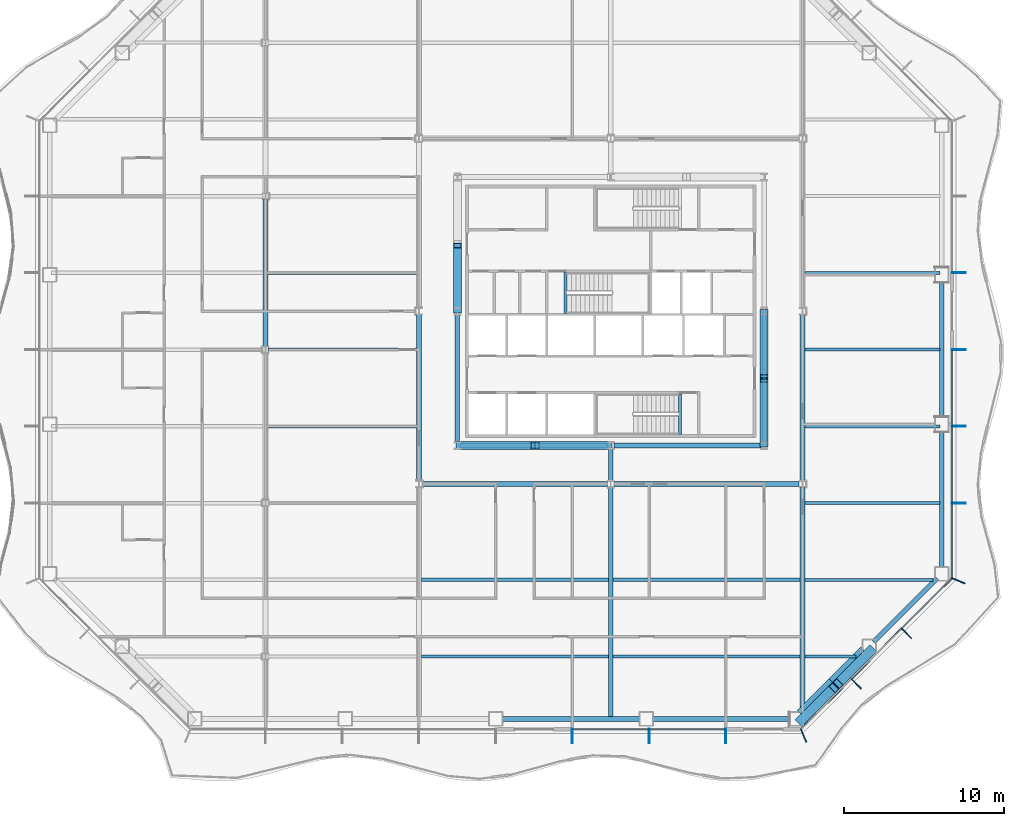
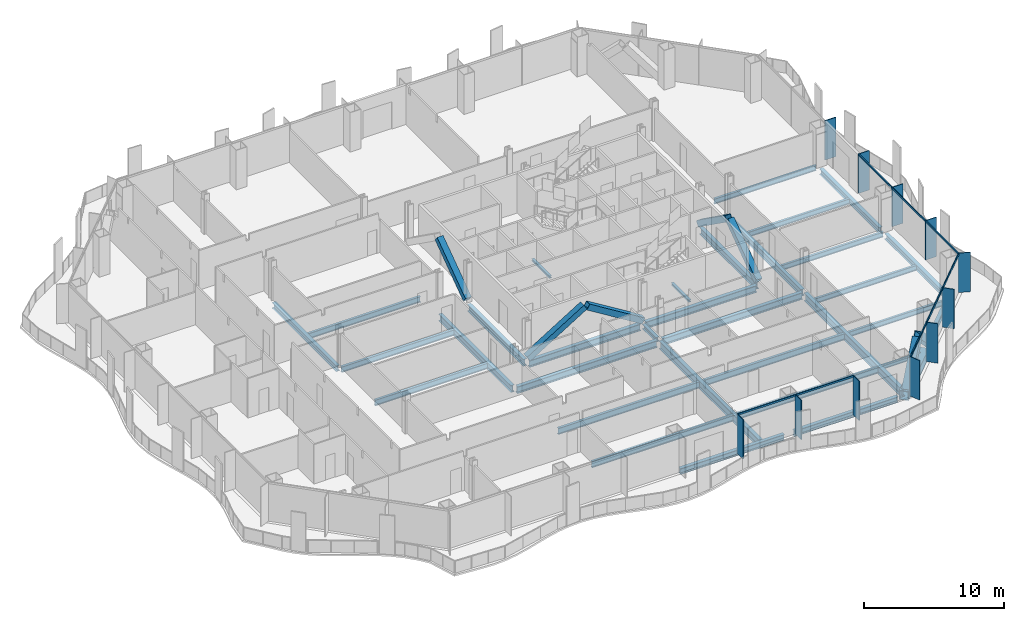
# One storey, part 2 of 18: 34 beams, 26 members, 3 elements without a shape of their own.
"""IFC4 building model written with IfcOpenShell, lengths in metres."""

import ifcopenshell
import ifcopenshell.guid

model = None  # the IFC model being written
_history = None  # IfcOwnerHistory: only IFC2X3 demands one
_inside = {}  # id of a spatial element -> (the spatial element, [elements in it])
_under = {}  # id of a project, library or spatial element -> (it, [spatial elements below it])
_declared = {}  # id of a project -> (the project, [libraries it declares])
_typed = {}  # id of a type object -> (the type object, [elements of that type])
_made_of = {}  # id of a material, layer set ... -> (it, [elements and type objects made of it])


def new_model(schema):
    """Start an empty IFC model of exactly this schema.

    Asked for "IFC4X3", IfcOpenShell would pick the latest addendum, in which some entities
    have other attributes; the version numbers below select the first issue.
    IFC2X3 requires an IfcOwnerHistory on every rooted entity: one is made here for all.
    """
    global model, _history
    if schema == "IFC4X3":
        model = ifcopenshell.file(schema_version=(4, 3, 0, 0))
    else:
        model = ifcopenshell.file(schema=schema)
    _inside.clear()
    _under.clear()
    _declared.clear()
    _typed.clear()
    _made_of.clear()
    _history = None
    if model.schema == "IFC2X3":
        org = make("IfcOrganization", Name="unknown")
        user = make(
            "IfcPersonAndOrganization",
            ThePerson=make("IfcPerson", FamilyName="unknown"),
            TheOrganization=org,
        )
        app = make(
            "IfcApplication",
            ApplicationDeveloper=org,
            Version="unknown",
            ApplicationFullName="unknown",
            ApplicationIdentifier="unknown",
        )
        _history = make(
            "IfcOwnerHistory",
            OwningUser=user,
            OwningApplication=app,
            ChangeAction="ADDED",
            CreationDate=0,
        )
    return model


def make(cls, **values):
    """One entity of the class cls with the attributes given. An attribute that is None is left unset."""
    return model.create_entity(
        cls, **{name: value for name, value in values.items() if value is not None}
    )


def rooted(cls, **values):
    """An entity with a GlobalId (a new one), such as an element, a storey or a relation."""
    return make(cls, GlobalId=ifcopenshell.guid.new(), OwnerHistory=_history, **values)


def si_unit(unit_type, name, prefix=None):
    """IfcSIUnit, for example si_unit("LENGTHUNIT", "METRE", prefix="MILLI")."""
    return make("IfcSIUnit", UnitType=unit_type, Prefix=prefix, Name=name)


def assignment(units):
    """IfcUnitAssignment: the units of a project."""
    return None if units is None else make("IfcUnitAssignment", Units=units)


def point(xyz):
    """IfcCartesianPoint."""
    return None if xyz is None else make("IfcCartesianPoint", Coordinates=xyz)


def direction(xyz):
    """IfcDirection."""
    return None if xyz is None else make("IfcDirection", DirectionRatios=xyz)


def frame(location, z_axis=None, x_axis=None):
    """IfcAxis2Placement3D, a coordinate frame: its origin and axes. An axis left out is left unset."""
    return make(
        "IfcAxis2Placement3D",
        Location=point(location),
        Axis=direction(z_axis),
        RefDirection=direction(x_axis),
    )


def frame_2d(location, x_axis=None):
    """IfcAxis2Placement2D, a coordinate frame in the plane: its origin and x axis."""
    return make(
        "IfcAxis2Placement2D", Location=point(location), RefDirection=direction(x_axis)
    )


def origin():
    """The frame at (0, 0, 0) with its axes left unset."""
    return frame((0.0, 0.0, 0.0))


def origin_2d():
    """The frame at (0, 0) in the plane with its x axis left unset."""
    return frame_2d((0.0, 0.0))


def place(relative_to, where):
    """IfcLocalPlacement: puts the frame where relative to a parent placement (None: the world)."""
    return make(
        "IfcLocalPlacement", PlacementRelTo=relative_to, RelativePlacement=where
    )


def context(
    kind, dimensions, precision=None, world=None, true_north=None, identifier=None
):
    """IfcGeometricRepresentationContext, for example the 3D "Model" context."""
    return make(
        "IfcGeometricRepresentationContext",
        ContextIdentifier=identifier,
        ContextType=kind,
        CoordinateSpaceDimension=dimensions,
        Precision=precision,
        WorldCoordinateSystem=world,
        TrueNorth=true_north,
    )


def subcontext(parent, identifier, kind, view, scale=None):
    """IfcGeometricRepresentationSubContext, for example "Body" below "Model"."""
    return make(
        "IfcGeometricRepresentationSubContext",
        ContextIdentifier=identifier,
        ContextType=kind,
        ParentContext=parent,
        TargetScale=scale,
        TargetView=view,
    )


def project(units=None, contexts=None):
    """IfcProject with its units and contexts."""
    return rooted(
        "IfcProject",
        Name="project",
        RepresentationContexts=contexts,
        UnitsInContext=assignment(units),
    )


def spatial(cls, under=None, at=None, **own):
    """A site, building, storey or space (cls), placed at a placement, below another one or the project."""
    s = rooted(cls, ObjectPlacement=at, **own)
    if under is not None:
        _under.setdefault(under.id(), (under, []))[1].append(s)
    return s


def profile(cls, at=None, kind="AREA", **sizes):
    """A parametric profile (cls). Its sizes go by their IFC names, for example OverallWidth=200.0."""
    return make(cls, ProfileType=kind, Position=at, **sizes)


def rectangle(**sizes):
    """IfcRectangleProfileDef."""
    return profile("IfcRectangleProfileDef", **sizes)


def hollow_rectangle(**sizes):
    """IfcRectangleHollowProfileDef."""
    return profile("IfcRectangleHollowProfileDef", **sizes)


def i_section(**sizes):
    """IfcIShapeProfileDef."""
    return profile("IfcIShapeProfileDef", **sizes)


def extrude(swept, where, along, depth):
    """IfcExtrudedAreaSolid: the profile swept, set in the frame where, extruded along a direction by depth."""
    return make(
        "IfcExtrudedAreaSolid",
        SweptArea=swept,
        Position=where,
        ExtrudedDirection=direction(along),
        Depth=depth,
    )


def shape(context_of_items, identifier, shape_type, items):
    """IfcShapeRepresentation: the items that make up one representation, for example the "Body"."""
    return make(
        "IfcShapeRepresentation",
        ContextOfItems=context_of_items,
        RepresentationIdentifier=identifier,
        RepresentationType=shape_type,
        Items=items,
    )


def material(Name=None, Category=None):
    """IfcMaterial."""
    return make("IfcMaterial", Name=Name, Category=Category)


def material_profile(
    of_material, cross_section, Name=None, Category=None, Priority=None
):
    """IfcMaterialProfile: a cross section and its material."""
    return make(
        "IfcMaterialProfile",
        Name=Name,
        Material=of_material,
        Profile=cross_section,
        Priority=Priority,
        Category=Category,
    )


def profile_set(profiles, Name=None, composite=None):
    """IfcMaterialProfileSet."""
    return make(
        "IfcMaterialProfileSet",
        Name=Name,
        MaterialProfiles=profiles,
        CompositeProfile=composite,
    )


def made_of(thing, what):
    """Note that an element or type object is made of a material, layer set ...; save() writes the relation."""
    if what is not None:
        _made_of.setdefault(what.id(), (what, []))[1].append(thing)
    return thing


def type_object(cls, material=None, **own):
    """A type object (cls), such as IfcWallType, which elements share."""
    return made_of(rooted(cls, **own), material)


def element(
    cls,
    number,
    at=None,
    inside=None,
    cuts=None,
    type_object=None,
    material=None,
    context=None,
    identifier="Body",
    shape_type=None,
    held_by="IfcProductDefinitionShape",
    body=None,
    shapes=None,
    **own,
):
    """One element of the class cls, such as IfcWall. Its Tag is "e" and its number.

    at: its placement. inside: the storey or other place that contains it. cuts: it is an
    opening in that element (IfcRelVoidsElement). A single representation is given by context,
    identifier, shape_type and body (its items); several are given by shapes. held_by: the class
    of the entity that holds the representations. save() writes the other relations.
    """
    e = rooted(cls, Tag="e%d" % number, ObjectPlacement=at, **own)
    if body is not None:
        shapes = [shape(context, identifier, shape_type, body)]
    if shapes is not None:
        e.Representation = make(held_by, Representations=shapes)
    if inside is not None:
        _inside.setdefault(inside.id(), (inside, []))[1].append(e)
    if cuts is not None:
        rooted(
            "IfcRelVoidsElement", RelatingBuildingElement=cuts, RelatedOpeningElement=e
        )
    if type_object is not None:
        _typed.setdefault(type_object.id(), (type_object, []))[1].append(e)
    return made_of(e, material)


def aggregate(whole, parts):
    """IfcRelAggregates: a whole, such as a stair, and the parts it consists of."""
    return rooted("IfcRelAggregates", RelatingObject=whole, RelatedObjects=parts)


def save(model, path):
    """Write the relations noted so far, then the file.

    IfcRelAggregates (storeys below a building ...), IfcRelContainedInSpatialStructure (elements
    in a storey), IfcRelDefinesByType, IfcRelAssociatesMaterial and IfcRelDeclares: one each for
    every whole, place, type object, material and project.
    """
    for whole, parts in _under.values():
        aggregate(whole, parts)
    for where, things in _inside.values():
        rooted(
            "IfcRelContainedInSpatialStructure",
            RelatedElements=things,
            RelatingStructure=where,
        )
    for kind, things in _typed.values():
        rooted("IfcRelDefinesByType", RelatedObjects=things, RelatingType=kind)
    for what, things in _made_of.values():
        rooted("IfcRelAssociatesMaterial", RelatedObjects=things, RelatingMaterial=what)
    for by, libraries in _declared.values():
        rooted("IfcRelDeclares", RelatingContext=by, RelatedDefinitions=libraries)
    model.write(path)


model = new_model("IFC4")

# Units and contexts
model_context = context("Model", 3, precision=1e-05, world=origin(), true_north=direction((0.0, 1.0)))
body_context = subcontext(model_context, "Body", "Model", "MODEL_VIEW")
ifc_project = project(units=[si_unit("LENGTHUNIT", "METRE"), si_unit("AREAUNIT", "SQUARE_METRE"), si_unit("VOLUMEUNIT", "CUBIC_METRE"), si_unit("PLANEANGLEUNIT", "RADIAN"), si_unit("MASSUNIT", "GRAM", prefix="KILO")], contexts=[model_context])

# Site, building, storey
site_placement = place(None, origin())
site = spatial("IfcSite", under=ifc_project, at=site_placement, CompositionType="ELEMENT")
building_placement = place(site_placement, origin())
building = spatial("IfcBuilding", under=site, at=building_placement, Name="Cairn Pilgrim Tower", CompositionType="ELEMENT")
storey_placement = place(building_placement, frame((0.0, 0.0, 76.199951171875)))
storey = spatial("IfcBuildingStorey", under=building, at=storey_placement, Name="L17", CompositionType="ELEMENT", Elevation=76.199951171875)

# Members
ifc_material_1 = material(Name="Structural steel S460M", Category="steel")
ifc_material_profile_1 = material_profile(ifc_material_1, hollow_rectangle(XDim=0.5, YDim=0.5, WallThickness=0.030029296875, at=origin_2d()), Name="BOX 500x500x30")
ifc_profile_set_1 = profile_set([ifc_material_profile_1], Name="Structural steel S460M")
member_type_1 = type_object("IfcMemberType", Name="BOX 500x500x30 BRACE", PredefinedType="BRACE", material=ifc_profile_set_1)
member_1_placement = place(storey_placement, frame((-2.356201171875, -6.0, 0.10009765625), z_axis=(0.850990224345, 0.0, 0.525181528683), x_axis=(0.0, 1.0, 0.0)))
element("IfcMember", 1, at=member_1_placement, inside=storey, type_object=member_type_1, Name="KB-1A", PredefinedType="BRACE", context=body_context, shape_type="SweptSolid", body=[
    extrude(hollow_rectangle(XDim=0.5, YDim=0.5, WallThickness=0.030029296875, at=origin_2d()), origin(), (0.0, 0.0, 1.0), 5.5263671875),
])
member_2_placement = place(storey_placement, frame((7.15625, -6.0, 0.10009765625), z_axis=(-0.851007515624, 0.0, 0.525153509321), x_axis=(0.0, -1.0, 0.0)))
element("IfcMember", 2, at=member_2_placement, inside=storey, type_object=member_type_1, Name="KB-1B", PredefinedType="BRACE", context=body_context, shape_type="SweptSolid", body=[
    extrude(hollow_rectangle(XDim=0.5, YDim=0.5, WallThickness=0.030029296875, at=origin_2d()), origin(), (0.0, 0.0, 1.0), 5.37646484375),
])
member_3_placement = place(storey_placement, frame((16.800048828125, -5.956298828125, 0.10009765625), z_axis=(0.0, 0.814198726233, 0.580586284889), x_axis=(-1.0, 0.0, 0.0)))
element("IfcMember", 3, at=member_3_placement, inside=storey, type_object=member_type_1, Name="KB-2A", PredefinedType="BRACE", context=body_context, shape_type="SweptSolid", body=[
    extrude(hollow_rectangle(XDim=0.5, YDim=0.5, WallThickness=0.030029296875, at=origin_2d()), origin(), (0.0, 0.0, 1.0), 4.99658203125),
])
member_4_placement = place(storey_placement, frame((16.800048828125, 2.356201171875, 0.10009765625), z_axis=(0.0, -0.814182254599, 0.580609383576), x_axis=(1.0, 0.0, 0.0)))
element("IfcMember", 4, at=member_4_placement, inside=storey, type_object=member_type_1, Name="KB-2B", PredefinedType="BRACE", context=body_context, shape_type="SweptSolid", body=[
    extrude(hollow_rectangle(XDim=0.5, YDim=0.5, WallThickness=0.030029296875, at=origin_2d()), origin(), (0.0, 0.0, 1.0), 4.996337890625),
])
member_5_placement = place(storey_placement, frame((-2.39990234375, 2.443603515625, 0.10009765625), z_axis=(0.0, 0.814198726233, 0.580586284889), x_axis=(-1.0, 0.0, 0.0)))
element("IfcMember", 5, at=member_5_placement, inside=storey, type_object=member_type_1, Name="KB-4B", PredefinedType="BRACE", context=body_context, shape_type="SweptSolid", body=[
    extrude(hollow_rectangle(XDim=0.5, YDim=0.5, WallThickness=0.030029296875, at=origin_2d()), origin(), (0.0, 0.0, 1.0), 4.99658203125),
])
ifc_material_profile_2 = material_profile(ifc_material_1, hollow_rectangle(XDim=0.60009765625, YDim=0.60009765625, WallThickness=0.034912109375, at=origin_2d()), Name="BOX 600x600x35")
ifc_profile_set_2 = profile_set([ifc_material_profile_2], Name="Structural steel S460M")
member_type_2 = type_object("IfcMemberType", Name="BOX 600x600x35 BRACE", PredefinedType="BRACE", material=ifc_profile_set_2)
for number, where, z_axis, x_axis, name in (
    (6, (19.078125, -23.2236328125, 0.150146484375), (0.528943710525, 0.528943710525, 0.663654354459), (-0.707106781187, 0.707106781187, 0.0), "XB-SE1-SE2-1"),
    (7, (23.4873046875, -18.814697265625, 0.150146484375), (-0.528960912345, -0.52889942671, 0.663675937214), (0.70706568108, -0.707147878904, 0.0), "XB-SE1-SE2-2"),
):
    element("IfcMember", number, at=place(storey_placement, frame(where, z_axis=z_axis, x_axis=x_axis)), inside=storey, type_object=member_type_2, Name=name, PredefinedType="BRACE", context=body_context, shape_type="SweptSolid", body=[
        extrude(hollow_rectangle(XDim=0.60009765625, YDim=0.60009765625, WallThickness=0.034912109375, at=origin_2d()), origin(), (0.0, 0.0, 1.0), 3.970703125),
    ])

# Beams
ifc_material_2 = material(Name="Structural steel S355J2", Category="steel")
ifc_material_profile_3 = material_profile(ifc_material_2, hollow_rectangle(XDim=0.699951171875, YDim=0.800048828125, WallThickness=0.0400390625, at=origin_2d()), Name="BOX 700x800x40")
ifc_profile_set_3 = profile_set([ifc_material_profile_3], Name="Structural steel S355J2")
beam_type_1 = type_object("IfcBeamType", Name="BOX 700x800x40 RING GIRDER", PredefinedType="SPANDREL", material=ifc_profile_set_3)
beam_1_placement = place(storey_placement, frame((19.113525390625, -22.813720703125, -0.550048828125), z_axis=(0.707106781187, 0.707106781187, 0.0), x_axis=(-0.707106781187, 0.707106781187, 0.0)))
element("IfcBeam", 8, at=beam_1_placement, inside=storey, type_object=beam_type_1, Name="RG1-SE1-SE2-1", PredefinedType="SPANDREL", context=body_context, shape_type="SweptSolid", body=[
    extrude(hollow_rectangle(XDim=0.699951171875, YDim=0.800048828125, WallThickness=0.0400390625, at=origin_2d()), origin(), (0.0, 0.0, 1.0), 2.802978515625),
])
beam_2_placement = place(storey_placement, frame((21.095458984375, -20.831787109375, -0.550048828125), z_axis=(0.707106781187, 0.707106781187, 0.0), x_axis=(-0.707106781187, 0.707106781187, 0.0)))
element("IfcBeam", 9, at=beam_2_placement, inside=storey, type_object=beam_type_1, Name="RG1-SE1-SE2-2", PredefinedType="SPANDREL", context=body_context, shape_type="SweptSolid", body=[
    extrude(hollow_rectangle(XDim=0.699951171875, YDim=0.800048828125, WallThickness=0.0400390625, at=origin_2d()), origin(), (0.0, 0.0, 1.0), 2.802490234375),
])

# Curtain wall, members
ifc_material_3 = material(Name="Aluminium alloy 6063-T6 bronze anodised with Bronze tinted laminated low-E glass 8+16+8.8", Category="aluminium")
curtain_wall_type_1 = type_object("IfcCurtainWallType", Name="TOWER STICK CURTAIN WALL NS", PredefinedType="NOTDEFINED", material=ifc_material_3)
curtain_wall_1_placement = place(storey_placement, origin())
curtain_wall_1 = element("IfcCurtainWall", 10, at=curtain_wall_1_placement, inside=storey, type_object=curtain_wall_type_1, Name="Tower Stick Curtain Wall Ns S", PredefinedType="NOTDEFINED")
ifc_material_4 = material(Name="Aluminium alloy 6063-T6 bronze anodised", Category="aluminium")
ifc_material_profile_4 = material_profile(ifc_material_4, rectangle(XDim=0.89990234375, YDim=0.06005859375, at=origin_2d()), Name="FIN MULLION 60x900 BRONZE")
ifc_profile_set_4 = profile_set([ifc_material_profile_4], Name="Aluminium alloy 6063-T6 bronze anodised")
member_type_3 = type_object("IfcMemberType", Name="FIN MULLION 60x900 BRONZE", PredefinedType="MULLION", material=ifc_profile_set_4)
member_6_placement = place(storey_placement, frame((4.800048828125, -24.169921875, 0.0), z_axis=(0.0, 0.0, 1.0), x_axis=(0.0, -1.0, 0.0)))
member_6 = element("IfcMember", 11, at=member_6_placement, type_object=member_type_3, Name="Fin mullion S6", PredefinedType="MULLION", context=body_context, shape_type="SweptSolid", body=[
    extrude(rectangle(XDim=0.89990234375, YDim=0.06005859375, at=origin_2d()), origin(), (0.0, 0.0, 1.0), 3.449951171875),
])
member_7_placement = place(storey_placement, frame((9.60009765625, -24.169921875, 0.0), z_axis=(0.0, 0.0, 1.0), x_axis=(0.0, -1.0, 0.0)))
member_7 = element("IfcMember", 12, at=member_7_placement, type_object=member_type_3, Name="Fin mullion S7", PredefinedType="MULLION", context=body_context, shape_type="SweptSolid", body=[
    extrude(rectangle(XDim=0.89990234375, YDim=0.06005859375, at=origin_2d()), origin(), (0.0, 0.0, 1.0), 3.449951171875),
])
member_8_placement = place(storey_placement, frame((14.39990234375, -24.169921875, 0.0), z_axis=(0.0, 0.0, 1.0), x_axis=(0.0, -1.0, 0.0)))
member_8 = element("IfcMember", 13, at=member_8_placement, type_object=member_type_3, Name="Fin mullion S8", PredefinedType="MULLION", context=body_context, shape_type="SweptSolid", body=[
    extrude(rectangle(XDim=0.89990234375, YDim=0.06005859375, at=origin_2d()), origin(), (0.0, 0.0, 1.0), 3.449951171875),
])

curtain_wall_type_2 = type_object("IfcCurtainWallType", Name="CHAMFER CORNER CURTAIN WALL", PredefinedType="NOTDEFINED", material=ifc_material_3)
curtain_wall_2_placement = place(storey_placement, origin())
curtain_wall_2 = element("IfcCurtainWall", 14, at=curtain_wall_2_placement, inside=storey, type_object=curtain_wall_type_2, Name="Chamfer Corner Curtain Wall SE", PredefinedType="NOTDEFINED")
member_9_placement = place(storey_placement, frame((19.257080078125, -24.137939453125, 0.0), z_axis=(0.0, 0.0, 1.0), x_axis=(0.382683432365, -0.923879532511, 0.0)))
member_9 = element("IfcMember", 15, at=member_9_placement, type_object=member_type_3, Name="Fin mullion SE1", PredefinedType="MULLION", context=body_context, shape_type="SweptSolid", body=[
    extrude(rectangle(XDim=0.89990234375, YDim=0.06005859375, at=origin_2d()), origin(), (0.0, 0.0, 1.0), 3.449951171875),
])
member_10_placement = place(storey_placement, frame((22.544677734375, -20.895751953125, 0.0), z_axis=(0.0, 0.0, 1.0), x_axis=(0.707106781187, -0.707106781187, 0.0)))
member_10 = element("IfcMember", 16, at=member_10_placement, type_object=member_type_3, Name="Fin mullion SE2", PredefinedType="MULLION", context=body_context, shape_type="SweptSolid", body=[
    extrude(rectangle(XDim=0.89990234375, YDim=0.06005859375, at=origin_2d()), origin(), (0.0, 0.0, 1.0), 3.449951171875),
])
member_11_placement = place(storey_placement, frame((25.69580078125, -17.74462890625, 0.0), z_axis=(0.0, 0.0, 1.0), x_axis=(0.707106781187, -0.707106781187, 0.0)))
member_11 = element("IfcMember", 17, at=member_11_placement, type_object=member_type_3, Name="Fin mullion SE3", PredefinedType="MULLION", context=body_context, shape_type="SweptSolid", body=[
    extrude(rectangle(XDim=0.89990234375, YDim=0.06005859375, at=origin_2d()), origin(), (0.0, 0.0, 1.0), 3.449951171875),
])

curtain_wall_type_3 = type_object("IfcCurtainWallType", Name="TOWER STICK CURTAIN WALL EW", PredefinedType="NOTDEFINED", material=ifc_material_3)
curtain_wall_3_placement = place(storey_placement, origin())
curtain_wall_3 = element("IfcCurtainWall", 18, at=curtain_wall_3_placement, inside=storey, type_object=curtain_wall_type_3, Name="Tower Stick Curtain Wall Ew E", PredefinedType="NOTDEFINED")
member_12_placement = place(storey_placement, frame((28.93798828125, -14.457275390625, 0.0), z_axis=(0.0, 0.0, 1.0), x_axis=(0.923879532511, -0.382683432365, 0.0)))
member_12 = element("IfcMember", 19, at=member_12_placement, type_object=member_type_3, Name="Fin mullion E1", PredefinedType="MULLION", context=body_context, shape_type="SweptSolid", body=[
    extrude(rectangle(XDim=0.89990234375, YDim=0.06005859375, at=origin_2d()), origin(), (0.0, 0.0, 1.0), 3.449951171875),
])
member_13_placement = place(storey_placement, frame((28.969970703125, -9.60009765625, 0.0), z_axis=(0.0, 0.0, 1.0), x_axis=(1.0, 0.0, 0.0)))
member_13 = element("IfcMember", 20, at=member_13_placement, type_object=member_type_3, Name="Fin mullion E2", PredefinedType="MULLION", context=body_context, shape_type="SweptSolid", body=[
    extrude(rectangle(XDim=0.89990234375, YDim=0.06005859375, at=origin_2d()), origin(), (0.0, 0.0, 1.0), 3.449951171875),
])
member_14_placement = place(storey_placement, frame((28.969970703125, -4.800048828125, 0.0), z_axis=(0.0, 0.0, 1.0), x_axis=(1.0, 0.0, 0.0)))
member_14 = element("IfcMember", 21, at=member_14_placement, type_object=member_type_3, Name="Fin mullion E3", PredefinedType="MULLION", context=body_context, shape_type="SweptSolid", body=[
    extrude(rectangle(XDim=0.89990234375, YDim=0.06005859375, at=origin_2d()), origin(), (0.0, 0.0, 1.0), 3.449951171875),
])
member_15_placement = place(storey_placement, frame((28.969970703125, 0.0, 0.0), z_axis=(0.0, 0.0, 1.0), x_axis=(1.0, 0.0, 0.0)))
member_15 = element("IfcMember", 22, at=member_15_placement, type_object=member_type_3, Name="Fin mullion E4", PredefinedType="MULLION", context=body_context, shape_type="SweptSolid", body=[
    extrude(rectangle(XDim=0.89990234375, YDim=0.06005859375, at=origin_2d()), origin(), (0.0, 0.0, 1.0), 3.449951171875),
])
member_16_placement = place(storey_placement, frame((28.969970703125, 4.800048828125, 0.0), z_axis=(0.0, 0.0, 1.0), x_axis=(1.0, 0.0, 0.0)))
member_16 = element("IfcMember", 23, at=member_16_placement, type_object=member_type_3, Name="Fin mullion E5", PredefinedType="MULLION", context=body_context, shape_type="SweptSolid", body=[
    extrude(rectangle(XDim=0.89990234375, YDim=0.06005859375, at=origin_2d()), origin(), (0.0, 0.0, 1.0), 3.449951171875),
])

# Beams
ifc_material_profile_5 = material_profile(ifc_material_2, i_section(OverallWidth=0.300048828125, OverallDepth=0.39990234375, WebThickness=0.013427734375, FlangeThickness=0.02392578125, FilletRadius=0.027099609375, at=origin_2d()), Name="HEB 400")
ifc_profile_set_5 = profile_set([ifc_material_profile_5], Name="Structural steel S355J2")
beam_type_2 = type_object("IfcBeamType", Name="HEB 400 GIRDER", PredefinedType="BEAM", material=ifc_profile_set_5)
beam_3_placement = place(storey_placement, frame((7.199951171875, -8.18798828125, -0.349853515625), z_axis=(0.0, 1.0, 0.0), x_axis=(-1.0, 0.0, 0.0)))
element("IfcBeam", 24, at=beam_3_placement, inside=storey, type_object=beam_type_2, Name="PG3-E1", PredefinedType="BEAM", context=body_context, shape_type="SweptSolid", body=[
    extrude(i_section(OverallWidth=0.300048828125, OverallDepth=0.39990234375, WebThickness=0.013427734375, FlangeThickness=0.02392578125, FilletRadius=0.027099609375, at=origin_2d()), origin(), (0.0, 0.0, 1.0), 1.969482421875),
])
ifc_material_profile_6 = material_profile(ifc_material_2, i_section(OverallWidth=0.300048828125, OverallDepth=0.5, WebThickness=0.014404296875, FlangeThickness=0.028076171875, FilletRadius=0.027099609375, at=origin_2d()), Name="HEB 500")
ifc_profile_set_6 = profile_set([ifc_material_profile_6], Name="Structural steel S355J2")
beam_type_3 = type_object("IfcBeamType", Name="HEB 500 GIRDER", PredefinedType="BEAM", material=ifc_profile_set_6)
beam_4_placement = place(storey_placement, frame((-14.39990234375, 0.20458984375, -0.39990234375), z_axis=(0.0, 1.0, 0.0), x_axis=(-1.0, 0.0, 0.0)))
element("IfcBeam", 25, at=beam_4_placement, inside=storey, type_object=beam_type_3, Name="PG1-4", PredefinedType="BEAM", context=body_context, shape_type="SweptSolid", body=[
    extrude(i_section(OverallWidth=0.300048828125, OverallDepth=0.5, WebThickness=0.014404296875, FlangeThickness=0.028076171875, FilletRadius=0.027099609375, at=origin_2d()), origin(), (0.0, 0.0, 1.0), 9.19091796875),
])
ifc_material_profile_7 = material_profile(ifc_material_2, i_section(OverallWidth=0.300048828125, OverallDepth=0.5, WebThickness=0.014404296875, FlangeThickness=0.028076171875, FilletRadius=0.027099609375, at=origin_2d()), Name="HEB 500")
ifc_profile_set_7 = profile_set([ifc_material_profile_7], Name="Structural steel S355J2")
beam_type_4 = type_object("IfcBeamType", Name="HEB 500 RING GIRDER", PredefinedType="SPANDREL", material=ifc_profile_set_7)
for number, where, z_axis, x_axis, name in (
    (26, (0.405029296875, -23.10009765625, -0.39990234375), (1.0, 0.0, 0.0), (0.0, 1.0, 0.0), "RG1-S3-S4"),
    (27, (9.818603515625, -23.10009765625, -0.39990234375), (1.0, 0.0, 0.0), (0.0, 1.0, 0.0), "RG1-S4-SE1"),
):
    element("IfcBeam", number, at=place(storey_placement, frame(where, z_axis=z_axis, x_axis=x_axis)), inside=storey, type_object=beam_type_4, Name=name, PredefinedType="SPANDREL", context=body_context, shape_type="SweptSolid", body=[
        extrude(i_section(OverallWidth=0.300048828125, OverallDepth=0.5, WebThickness=0.014404296875, FlangeThickness=0.028076171875, FilletRadius=0.027099609375, at=origin_2d()), origin(), (0.0, 0.0, 1.0), 8.603515625),
    ])
beam_5_placement = place(storey_placement, frame((23.64990234375, -18.277099609375, -0.39990234375), z_axis=(0.707128558756, 0.707085002947, 0.0), x_axis=(-0.707085002947, 0.707128558756, 0.0)))
element("IfcBeam", 28, at=beam_5_placement, inside=storey, type_object=beam_type_4, Name="RG1-SE2-E1", PredefinedType="SPANDREL", context=body_context, shape_type="SweptSolid", body=[
    extrude(i_section(OverallWidth=0.300048828125, OverallDepth=0.5, WebThickness=0.014404296875, FlangeThickness=0.028076171875, FilletRadius=0.027099609375, at=origin_2d()), origin(), (0.0, 0.0, 1.0), 5.605224609375),
])
for number, where, z_axis, x_axis, name in (
    (29, (27.89990234375, -13.622314453125, -0.39990234375), (0.0, 1.0, 0.0), (-1.0, 0.0, 0.0), "RG1-E1-E2"),
    (30, (27.89990234375, -4.270751953125, -0.39990234375), (0.0, 1.0, 0.0), (-1.0, 0.0, 0.0), "RG1-E2-E3"),
):
    element("IfcBeam", number, at=place(storey_placement, frame(where, z_axis=z_axis, x_axis=x_axis)), inside=storey, type_object=beam_type_4, Name=name, PredefinedType="SPANDREL", context=body_context, shape_type="SweptSolid", body=[
        extrude(i_section(OverallWidth=0.300048828125, OverallDepth=0.5, WebThickness=0.014404296875, FlangeThickness=0.028076171875, FilletRadius=0.027099609375, at=origin_2d()), origin(), (0.0, 0.0, 1.0), 8.54150390625),
    ])
ifc_material_profile_8 = material_profile(ifc_material_2, i_section(OverallWidth=0.300048828125, OverallDepth=0.60009765625, WebThickness=0.015380859375, FlangeThickness=0.030029296875, FilletRadius=0.027099609375, at=origin_2d()), Name="HEB 600")
ifc_profile_set_8 = profile_set([ifc_material_profile_8], Name="Structural steel S355J2")
beam_type_5 = type_object("IfcBeamType", Name="HEB 600 CORE BEAM", PredefinedType="BEAM", material=ifc_profile_set_8)
beam_6_placement = place(storey_placement, frame((-2.203369140625, -6.0, -0.449951171875), z_axis=(1.0, 0.0, 0.0), x_axis=(0.0, 1.0, 0.0)))
element("IfcBeam", 31, at=beam_6_placement, inside=storey, type_object=beam_type_5, Name="CB-1", PredefinedType="BEAM", context=body_context, shape_type="SweptSolid", body=[
    extrude(i_section(OverallWidth=0.300048828125, OverallDepth=0.60009765625, WebThickness=0.015380859375, FlangeThickness=0.030029296875, FilletRadius=0.027099609375, at=origin_2d()), origin(), (0.0, 0.0, 1.0), 9.206787109375),
])
beam_7_placement = place(storey_placement, frame((7.396728515625, -6.0, -0.449951171875), z_axis=(1.0, 0.0, 0.0), x_axis=(0.0, 1.0, 0.0)))
element("IfcBeam", 32, at=beam_7_placement, inside=storey, type_object=beam_type_5, Name="CB-2", PredefinedType="BEAM", context=body_context, shape_type="SweptSolid", body=[
    extrude(i_section(OverallWidth=0.300048828125, OverallDepth=0.60009765625, WebThickness=0.015380859375, FlangeThickness=0.030029296875, FilletRadius=0.027099609375, at=origin_2d()), origin(), (0.0, 0.0, 1.0), 9.20654296875),
])
for number, where, z_axis, x_axis, name in (
    (33, (16.800048828125, -5.803466796875, -0.449951171875), (0.0, 1.0, 0.0), (-1.0, 0.0, 0.0), "CB-3"),
    (34, (-2.39990234375, 2.203369140625, -0.449951171875), (0.0, -1.0, 0.0), (1.0, 0.0, 0.0), "CB-8"),
):
    element("IfcBeam", number, at=place(storey_placement, frame(where, z_axis=z_axis, x_axis=x_axis)), inside=storey, type_object=beam_type_5, Name=name, PredefinedType="BEAM", context=body_context, shape_type="SweptSolid", body=[
        extrude(i_section(OverallWidth=0.300048828125, OverallDepth=0.60009765625, WebThickness=0.015380859375, FlangeThickness=0.030029296875, FilletRadius=0.027099609375, at=origin_2d()), origin(), (0.0, 0.0, 1.0), 8.0068359375),
    ])
ifc_material_profile_9 = material_profile(ifc_material_2, i_section(OverallWidth=0.300048828125, OverallDepth=0.60009765625, WebThickness=0.015380859375, FlangeThickness=0.030029296875, FilletRadius=0.027099609375, at=origin_2d()), Name="HEB 600")
ifc_profile_set_9 = profile_set([ifc_material_profile_9], Name="Structural steel S355J2")
beam_type_6 = type_object("IfcBeamType", Name="HEB 600 GIRDER", PredefinedType="BEAM", material=ifc_profile_set_9)
for number, where, z_axis, x_axis, name in (
    (35, (-4.800048828125, -8.18798828125, -0.449951171875), (0.0, 1.0, 0.0), (-1.0, 0.0, 0.0), "PG2-2"),
    (36, (19.199951171875, -8.18798828125, -0.449951171875), (0.0, 1.0, 0.0), (-1.0, 0.0, 0.0), "PG4-2"),
):
    element("IfcBeam", number, at=place(storey_placement, frame(where, z_axis=z_axis, x_axis=x_axis)), inside=storey, type_object=beam_type_6, Name=name, PredefinedType="BEAM", context=body_context, shape_type="SweptSolid", body=[
        extrude(i_section(OverallWidth=0.300048828125, OverallDepth=0.60009765625, WebThickness=0.015380859375, FlangeThickness=0.030029296875, FilletRadius=0.027099609375, at=origin_2d()), origin(), (0.0, 0.0, 1.0), 10.3759765625),
    ])
ifc_material_profile_10 = material_profile(ifc_material_2, i_section(OverallWidth=0.300048828125, OverallDepth=0.60009765625, WebThickness=0.015380859375, FlangeThickness=0.030029296875, FilletRadius=0.027099609375, at=origin_2d()), Name="HEB 600")
ifc_profile_set_10 = profile_set([ifc_material_profile_10], Name="Structural steel S355J2")
beam_type_7 = type_object("IfcBeamType", Name="HEB 600 INNER GIRDER", PredefinedType="BEAM", material=ifc_profile_set_10)
for number, where, z_axis, x_axis, name in (
    (37, (-4.587890625, -8.39990234375, -0.449951171875), (1.0, 0.0, 0.0), (0.0, 1.0, 0.0), "IG1-1"),
    (38, (7.412109375, -8.39990234375, -0.449951171875), (1.0, 0.0, 0.0), (0.0, 1.0, 0.0), "IG1-2"),
):
    element("IfcBeam", number, at=place(storey_placement, frame(where, z_axis=z_axis, x_axis=x_axis)), inside=storey, type_object=beam_type_7, Name=name, PredefinedType="BEAM", context=body_context, shape_type="SweptSolid", body=[
        extrude(i_section(OverallWidth=0.300048828125, OverallDepth=0.60009765625, WebThickness=0.015380859375, FlangeThickness=0.030029296875, FilletRadius=0.027099609375, at=origin_2d()), origin(), (0.0, 0.0, 1.0), 11.575927734375),
    ])
ifc_material_profile_11 = material_profile(ifc_material_2, i_section(OverallWidth=0.300048828125, OverallDepth=0.699951171875, WebThickness=0.01708984375, FlangeThickness=0.031982421875, FilletRadius=0.027099609375, at=origin_2d()), Name="HEB 700")
ifc_profile_set_11 = profile_set([ifc_material_profile_11], Name="Structural steel S355J2")
beam_type_8 = type_object("IfcBeamType", Name="HEB 700 GIRDER", PredefinedType="BEAM", material=ifc_profile_set_11)
beam_8_placement = place(storey_placement, frame((7.199951171875, -22.97998046875, -0.5), z_axis=(0.0, 1.0, 0.0), x_axis=(-1.0, 0.0, 0.0)))
element("IfcBeam", 39, at=beam_8_placement, inside=storey, type_object=beam_type_8, Name="PG3-1", PredefinedType="BEAM", context=body_context, shape_type="SweptSolid", body=[
    extrude(i_section(OverallWidth=0.300048828125, OverallDepth=0.699951171875, WebThickness=0.01708984375, FlangeThickness=0.031982421875, FilletRadius=0.027099609375, at=origin_2d()), origin(), (0.0, 0.0, 1.0), 14.367919921875),
])
beam_9_placement = place(storey_placement, frame((19.199951171875, -22.545166015625, -0.5), z_axis=(0.0, 1.0, 0.0), x_axis=(-1.0, 0.0, 0.0)))
element("IfcBeam", 40, at=beam_9_placement, inside=storey, type_object=beam_type_8, Name="PG4-1", PredefinedType="BEAM", context=body_context, shape_type="SweptSolid", body=[
    extrude(i_section(OverallWidth=0.300048828125, OverallDepth=0.699951171875, WebThickness=0.01708984375, FlangeThickness=0.031982421875, FilletRadius=0.027099609375, at=origin_2d()), origin(), (0.0, 0.0, 1.0), 13.93310546875),
])
ifc_material_profile_12 = material_profile(ifc_material_2, i_section(OverallWidth=0.169921875, OverallDepth=0.360107421875, WebThickness=0.008056640625, FlangeThickness=0.0126953125, FilletRadius=0.01806640625, at=origin_2d()), Name="IPE 360")
ifc_profile_set_12 = profile_set([ifc_material_profile_12], Name="Structural steel S355J2")
beam_type_9 = type_object("IfcBeamType", Name="IPE 360 SECONDARY BEAM", PredefinedType="JOIST", material=ifc_profile_set_12)
beam_10_placement = place(storey_placement, frame((19.35009765625, -19.199951171875, -0.329833984375), z_axis=(1.0, 0.0, 0.0), x_axis=(0.0, 1.0, 0.0)))
element("IfcBeam", 41, at=beam_10_placement, inside=storey, type_object=beam_type_9, Name="SB1-5", PredefinedType="JOIST", context=body_context, shape_type="SweptSolid", body=[
    extrude(i_section(OverallWidth=0.169921875, OverallDepth=0.360107421875, WebThickness=0.008056640625, FlangeThickness=0.0126953125, FilletRadius=0.01806640625, at=origin_2d()), origin(), (0.0, 0.0, 1.0), 3.195068359375),
])
ifc_material_profile_13 = material_profile(ifc_material_2, i_section(OverallWidth=0.18994140625, OverallDepth=0.449951171875, WebThickness=0.009521484375, FlangeThickness=0.0146484375, FilletRadius=0.02099609375, at=origin_2d()), Name="IPE 450")
ifc_profile_set_13 = profile_set([ifc_material_profile_13], Name="Structural steel S355J2")
beam_type_10 = type_object("IfcBeamType", Name="IPE 450 SECONDARY BEAM", PredefinedType="JOIST", material=ifc_profile_set_13)
beam_11_placement = place(storey_placement, frame((19.35009765625, -14.39990234375, -0.375), z_axis=(1.0, 0.0, 0.0), x_axis=(0.0, 1.0, 0.0)))
element("IfcBeam", 42, at=beam_11_placement, inside=storey, type_object=beam_type_10, Name="SB2-5", PredefinedType="JOIST", context=body_context, shape_type="SweptSolid", body=[
    extrude(i_section(OverallWidth=0.18994140625, OverallDepth=0.449951171875, WebThickness=0.009521484375, FlangeThickness=0.0146484375, FilletRadius=0.02099609375, at=origin_2d()), origin(), (0.0, 0.0, 1.0), 7.9951171875),
])
for number, where, z_axis, x_axis, name in (
    (43, (19.35009765625, -9.60009765625, -0.375), (1.0, 0.0, 0.0), (0.0, 1.0, 0.0), "SB3-3"),
    (44, (19.35009765625, -4.800048828125, -0.375), (1.0, 0.0, 0.0), (0.0, 1.0, 0.0), "SB4-3"),
    (45, (19.35009765625, 0.0, -0.375), (1.0, 0.0, 0.0), (0.0, 1.0, 0.0), "SB5-3"),
    (46, (19.35009765625, 4.800048828125, -0.375), (1.0, 0.0, 0.0), (0.0, 1.0, 0.0), "SB6-3"),
):
    element("IfcBeam", number, at=place(storey_placement, frame(where, z_axis=z_axis, x_axis=x_axis)), inside=storey, type_object=beam_type_10, Name=name, PredefinedType="JOIST", context=body_context, shape_type="SweptSolid", body=[
        extrude(i_section(OverallWidth=0.18994140625, OverallDepth=0.449951171875, WebThickness=0.009521484375, FlangeThickness=0.0146484375, FilletRadius=0.02099609375, at=origin_2d()), origin(), (0.0, 0.0, 1.0), 8.429931640625),
    ])
ifc_material_profile_14 = material_profile(ifc_material_2, i_section(OverallWidth=0.199951171875, OverallDepth=0.5, WebThickness=0.01025390625, FlangeThickness=0.01611328125, FilletRadius=0.02099609375, at=origin_2d()), Name="IPE 500")
ifc_profile_set_14 = profile_set([ifc_material_profile_14], Name="Structural steel S355J2")
beam_type_11 = type_object("IfcBeamType", Name="IPE 500 SECONDARY BEAM", PredefinedType="JOIST", material=ifc_profile_set_14)
for number, where, z_axis, x_axis, name in (
    (47, (-14.25, -4.800048828125, -0.39990234375), (1.0, 0.0, 0.0), (0.0, 1.0, 0.0), "SB4-2"),
    (48, (-14.25, 0.0, -0.39990234375), (1.0, 0.0, 0.0), (0.0, 1.0, 0.0), "SB5-2"),
    (49, (-14.25, 4.800048828125, -0.39990234375), (1.0, 0.0, 0.0), (0.0, 1.0, 0.0), "SB6-2"),
):
    element("IfcBeam", number, at=place(storey_placement, frame(where, z_axis=z_axis, x_axis=x_axis)), inside=storey, type_object=beam_type_11, Name=name, PredefinedType="JOIST", context=body_context, shape_type="SweptSolid", body=[
        extrude(i_section(OverallWidth=0.199951171875, OverallDepth=0.5, WebThickness=0.01025390625, FlangeThickness=0.01611328125, FilletRadius=0.02099609375, at=origin_2d()), origin(), (0.0, 0.0, 1.0), 9.300048828125),
    ])
ifc_material_profile_15 = material_profile(ifc_material_2, i_section(OverallWidth=0.2099609375, OverallDepth=0.550048828125, WebThickness=0.010986328125, FlangeThickness=0.01708984375, FilletRadius=0.02392578125, at=origin_2d()), Name="IPE 550")
ifc_profile_set_15 = profile_set([ifc_material_profile_15], Name="Structural steel S355J2")
beam_type_12 = type_object("IfcBeamType", Name="IPE 550 SECONDARY BEAM", PredefinedType="JOIST", material=ifc_profile_set_15)
for number, where, z_axis, x_axis, name in (
    (50, (-4.64990234375, -19.199951171875, -0.425048828125), (1.0, 0.0, 0.0), (0.0, 1.0, 0.0), "SB1-3"),
    (51, (7.35009765625, -19.199951171875, -0.425048828125), (1.0, 0.0, 0.0), (0.0, 1.0, 0.0), "SB1-4"),
    (52, (-4.64990234375, -14.39990234375, -0.425048828125), (1.0, 0.0, 0.0), (0.0, 1.0, 0.0), "SB2-3"),
    (53, (7.35009765625, -14.39990234375, -0.425048828125), (1.0, 0.0, 0.0), (0.0, 1.0, 0.0), "SB2-4"),
):
    element("IfcBeam", number, at=place(storey_placement, frame(where, z_axis=z_axis, x_axis=x_axis)), inside=storey, type_object=beam_type_12, Name=name, PredefinedType="JOIST", context=body_context, shape_type="SweptSolid", body=[
        extrude(i_section(OverallWidth=0.2099609375, OverallDepth=0.550048828125, WebThickness=0.010986328125, FlangeThickness=0.01708984375, FilletRadius=0.02392578125, at=origin_2d()), origin(), (0.0, 0.0, 1.0), 11.699951171875),
    ])
ifc_material_profile_16 = material_profile(ifc_material_2, i_section(OverallWidth=0.199951171875, OverallDepth=0.199951171875, WebThickness=0.009033203125, FlangeThickness=0.014892578125, FilletRadius=0.01806640625, at=origin_2d()), Name="HE 200 B")
ifc_profile_set_16 = profile_set([ifc_material_profile_16], Name="Structural steel S355J2")
beam_type_13 = type_object("IfcBeamType", Name="STAIR LANDING BEAM HE 200 B", PredefinedType="BEAM", material=ifc_profile_set_16)
beam_12_placement = place(storey_placement, frame((11.5244140625, -2.77490234375, -0.25), z_axis=(0.0, -1.0, 0.0), x_axis=(1.0, 0.0, 0.0)))
element("IfcBeam", 54, at=beam_12_placement, inside=storey, type_object=beam_type_13, Name="STAIR LANDING BEAM LD-HE200B", PredefinedType="BEAM", context=body_context, shape_type="SweptSolid", body=[
    extrude(i_section(OverallWidth=0.199951171875, OverallDepth=0.199951171875, WebThickness=0.009033203125, FlangeThickness=0.014892578125, FilletRadius=0.01806640625, at=origin_2d()), origin(), (0.0, 0.0, 1.0), 2.525146484375),
])
beam_13_placement = place(storey_placement, frame((4.37548828125, 2.27490234375, -0.25), z_axis=(0.0, 1.0, 0.0), x_axis=(-1.0, 0.0, 0.0)))
element("IfcBeam", 55, at=beam_13_placement, inside=storey, type_object=beam_type_13, Name="STAIR LANDING BEAM LD-HE200B", PredefinedType="BEAM", context=body_context, shape_type="SweptSolid", body=[
    extrude(i_section(OverallWidth=0.199951171875, OverallDepth=0.199951171875, WebThickness=0.009033203125, FlangeThickness=0.014892578125, FilletRadius=0.01806640625, at=origin_2d()), origin(), (0.0, 0.0, 1.0), 2.550048828125),
])

# Member
ifc_material_profile_17 = material_profile(ifc_material_4, rectangle(XDim=0.080078125, YDim=0.14990234375, at=origin_2d()), Name="TRANSOM 80x150 BRONZE")
ifc_profile_set_17 = profile_set([ifc_material_profile_17], Name="Aluminium alloy 6063-T6 bronze anodised")
member_type_4 = type_object("IfcMemberType", Name="TRANSOM 80x150 BRONZE", PredefinedType="USERDEFINED", material=ifc_profile_set_17)
member_17_placement = place(storey_placement, frame((4.830078125, -23.75, 3.375), z_axis=(1.0, 0.0, 0.0), x_axis=(0.0, 1.0, 0.0)))
member_17 = element("IfcMember", 56, at=member_17_placement, type_object=member_type_4, Name="Transom S6", ObjectType="TRANSOM", PredefinedType="USERDEFINED", context=body_context, shape_type="SweptSolid", body=[
    extrude(rectangle(XDim=0.080078125, YDim=0.14990234375, at=origin_2d()), origin(), (0.0, 0.0, 1.0), 4.739990234375),
])

member_18_placement = place(storey_placement, frame((9.6298828125, -23.75, 3.375), z_axis=(1.0, 0.0, 0.0), x_axis=(0.0, 1.0, 0.0)))
member_18 = element("IfcMember", 57, at=member_18_placement, type_object=member_type_4, Name="Transom S7", ObjectType="TRANSOM", PredefinedType="USERDEFINED", context=body_context, shape_type="SweptSolid", body=[
    extrude(rectangle(XDim=0.080078125, YDim=0.14990234375, at=origin_2d()), origin(), (0.0, 0.0, 1.0), 4.740234375),
])

aggregate(curtain_wall_1, [member_6, member_7, member_8, member_17, member_18])

member_19_placement = place(storey_placement, frame((19.124755859375, -23.7216796875, 3.375), z_axis=(0.707106781187, 0.707106781187, 0.0), x_axis=(-0.707106781187, 0.707106781187, 0.0)))
member_19 = element("IfcMember", 58, at=member_19_placement, type_object=member_type_4, Name="Transom SE1", ObjectType="TRANSOM", PredefinedType="USERDEFINED", context=body_context, shape_type="SweptSolid", body=[
    extrude(rectangle(XDim=0.080078125, YDim=0.14990234375, at=origin_2d()), origin(), (0.0, 0.0, 1.0), 4.38623046875),
])

member_20_placement = place(storey_placement, frame((22.268798828125, -20.57763671875, 3.375), z_axis=(0.707106781187, 0.707106781187, 0.0), x_axis=(-0.707106781187, 0.707106781187, 0.0)))
member_20 = element("IfcMember", 59, at=member_20_placement, type_object=member_type_4, Name="Transom SE2", ObjectType="TRANSOM", PredefinedType="USERDEFINED", context=body_context, shape_type="SweptSolid", body=[
    extrude(rectangle(XDim=0.080078125, YDim=0.14990234375, at=origin_2d()), origin(), (0.0, 0.0, 1.0), 4.396728515625),
])

member_21_placement = place(storey_placement, frame((25.419921875, -17.426513671875, 3.375), z_axis=(0.707106781187, 0.707106781187, 0.0), x_axis=(-0.707106781187, 0.707106781187, 0.0)))
member_21 = element("IfcMember", 60, at=member_21_placement, type_object=member_type_4, Name="Transom SE3", ObjectType="TRANSOM", PredefinedType="USERDEFINED", context=body_context, shape_type="SweptSolid", body=[
    extrude(rectangle(XDim=0.080078125, YDim=0.14990234375, at=origin_2d()), origin(), (0.0, 0.0, 1.0), 4.38671875),
])

aggregate(curtain_wall_2, [member_9, member_10, member_11, member_19, member_20, member_21])

member_22_placement = place(storey_placement, frame((28.550048828125, -14.25634765625, 3.375), z_axis=(0.0, 1.0, 0.0), x_axis=(-1.0, 0.0, 0.0)))
member_22 = element("IfcMember", 61, at=member_22_placement, type_object=member_type_4, Name="Transom E1", ObjectType="TRANSOM", PredefinedType="USERDEFINED", context=body_context, shape_type="SweptSolid", body=[
    extrude(rectangle(XDim=0.080078125, YDim=0.14990234375, at=origin_2d()), origin(), (0.0, 0.0, 1.0), 4.62646484375),
])

member_23_placement = place(storey_placement, frame((28.550048828125, -9.570068359375, 3.375), z_axis=(0.0, 1.0, 0.0), x_axis=(-1.0, 0.0, 0.0)))
member_23 = element("IfcMember", 62, at=member_23_placement, type_object=member_type_4, Name="Transom E2", ObjectType="TRANSOM", PredefinedType="USERDEFINED", context=body_context, shape_type="SweptSolid", body=[
    extrude(rectangle(XDim=0.080078125, YDim=0.14990234375, at=origin_2d()), origin(), (0.0, 0.0, 1.0), 4.739990234375),
])

member_24_placement = place(storey_placement, frame((28.550048828125, -4.77001953125, 3.375), z_axis=(0.0, 1.0, 0.0), x_axis=(-1.0, 0.0, 0.0)))
member_24 = element("IfcMember", 63, at=member_24_placement, type_object=member_type_4, Name="Transom E3", ObjectType="TRANSOM", PredefinedType="USERDEFINED", context=body_context, shape_type="SweptSolid", body=[
    extrude(rectangle(XDim=0.080078125, YDim=0.14990234375, at=origin_2d()), origin(), (0.0, 0.0, 1.0), 4.739990234375),
])

aggregate(curtain_wall_3, [member_12, member_13, member_14, member_15, member_16, member_22, member_23, member_24])

save(model, "model.ifc")
